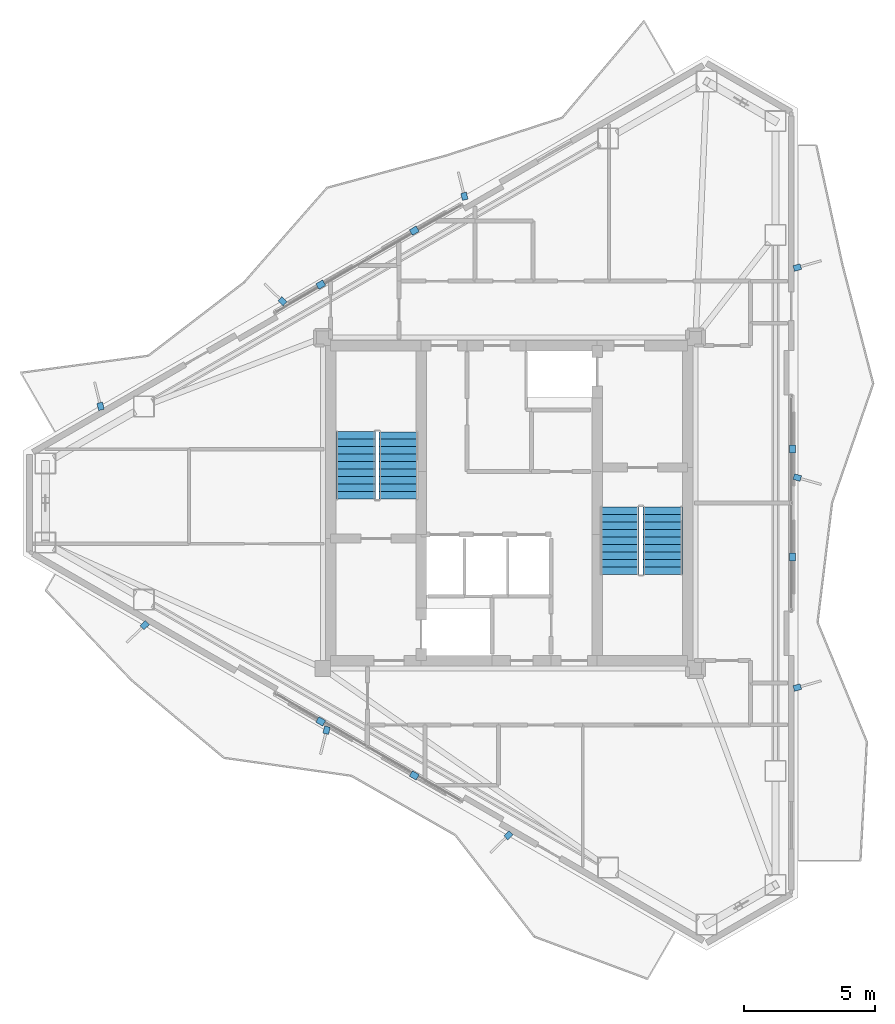
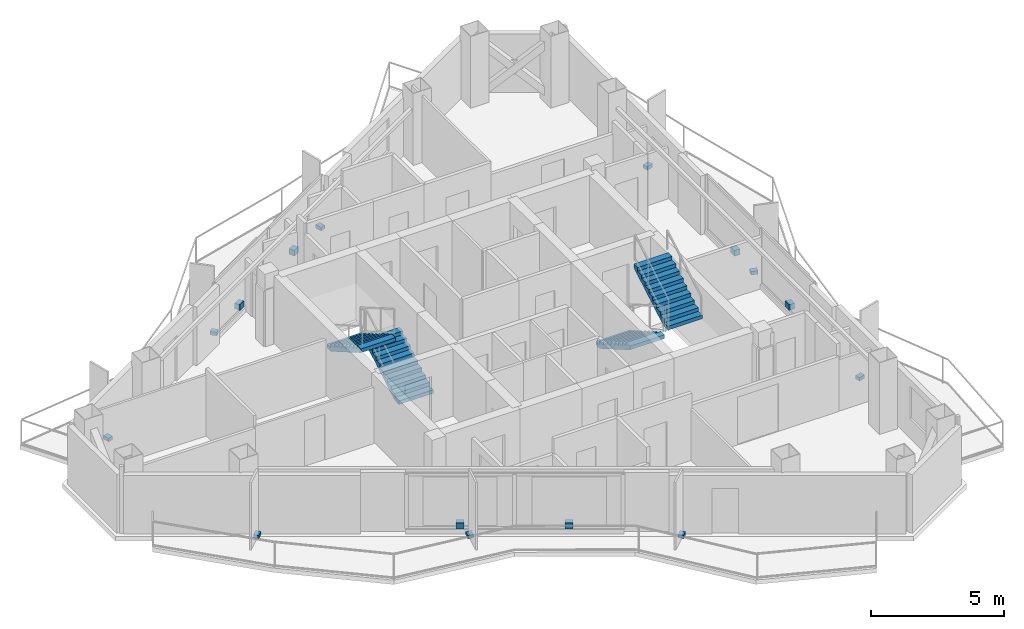
# One storey, part 17 of 18: 15 discrete accessories, 4 stair flights, 2 elements without a shape of their own.
"""IFC4 building model written with IfcOpenShell, lengths in metres."""

from ifc_helpers import new_model, si_unit, direction, frame, origin, origin_2d, place, context, subcontext, project, spatial, polyline, rectangle, outline, extrude, material, layer, layer_set, type_object, element, aggregate, save


model = new_model("IFC4")

# Units and contexts
model_context = context("Model", 3, precision=1e-05, world=origin(), true_north=direction((0.0, 1.0)))
body_context = subcontext(model_context, "Body", "Model", "MODEL_VIEW")
ifc_project = project(units=[si_unit("LENGTHUNIT", "METRE"), si_unit("AREAUNIT", "SQUARE_METRE"), si_unit("VOLUMEUNIT", "CUBIC_METRE"), si_unit("PLANEANGLEUNIT", "RADIAN"), si_unit("MASSUNIT", "GRAM", prefix="KILO")], contexts=[model_context])

# Site, building, storey
site_placement = place(None, origin())
site = spatial("IfcSite", under=ifc_project, at=site_placement, CompositionType="ELEMENT")
building_placement = place(site_placement, origin())
building = spatial("IfcBuilding", under=site, at=building_placement, Name="Mersakhor Tower and Convention Hall", CompositionType="ELEMENT")
storey_placement = place(building_placement, frame((0.0, 0.0, 239.699951171875)))
storey = spatial("IfcBuildingStorey", under=building, at=storey_placement, Name="L67", CompositionType="ELEMENT", Elevation=239.699951171875)

# Stair, stair flights
ifc_material_1 = material(Name="Concrete C45/55", Category="concrete")
stair_type = type_object("IfcStairType", Name="ST-TWR-20R", PredefinedType="HALF_TURN_STAIR", material=ifc_material_1)
stair_1_placement = place(storey_placement, origin())
stair_1 = element("IfcStair", 1, at=stair_1_placement, inside=storey, type_object=stair_type, Name="L67 Tower Protected Exit Stair ST-1", PredefinedType="HALF_TURN_STAIR")
ifc_material_2 = material(Name="Concrete C45/55", Category="concrete")
stair_flight_type = type_object("IfcStairFlightType", Name="SFL-TWR-20R", PredefinedType="STRAIGHT", material=ifc_material_2)
stair_flight_1_placement = place(storey_placement, frame((24.800048828125, 26.89990234375, 0.0), z_axis=(0.0, 0.0, 1.0), x_axis=(0.0, 1.0, 0.0)))
stair_flight_1 = element("IfcStairFlight", 2, at=stair_flight_1_placement, type_object=stair_flight_type, Name="ST-1 flight 1", NumberOfRisers=10, NumberOfTreads=9, PredefinedType="STRAIGHT", RiserHeight=0.165, TreadLength=0.285, context=body_context, shape_type="SweptSolid", body=[
    extrude(outline(polyline([(0.0, 0.0), (0.0, 0.1650390625), (0.284912109375, 0.1650390625), (0.284912109375, 0.330078125), (0.570068359375, 0.330078125), (0.570068359375, 0.4951171875), (0.85498046875, 0.4951171875), (0.85498046875, 0.659912109375), (1.139892578125, 0.659912109375), (1.139892578125, 0.824951171875), (1.425048828125, 0.824951171875), (1.425048828125, 0.989990234375), (1.7099609375, 0.989990234375), (1.7099609375, 1.155029296875), (1.9951171875, 1.155029296875), (1.9951171875, 1.320068359375), (2.280029296875, 1.320068359375), (2.280029296875, 1.485107421875), (2.56494140625, 1.485107421875), (2.56494140625, 1.64990234375), (2.56494140625, 1.311767578125), (0.299072265625, 0.0), (0.0, 0.0)])), frame((0.0, 0.75, 0.0), z_axis=(0.0, -1.0, 0.0), x_axis=(1.0, 0.0, 0.0)), (0.0, 0.0, 1.0), 1.5),
])
stair_flight_2_placement = place(storey_placement, frame((23.14990234375, 29.465087890625, 1.650146484375), z_axis=(0.0, 0.0, 1.0), x_axis=(0.0, -1.0, 0.0)))
stair_flight_2 = element("IfcStairFlight", 3, at=stair_flight_2_placement, type_object=stair_flight_type, Name="ST-1 flight 2", NumberOfRisers=10, NumberOfTreads=9, PredefinedType="STRAIGHT", RiserHeight=0.165, TreadLength=0.285, context=body_context, shape_type="SweptSolid", body=[
    extrude(outline(polyline([(0.0, 0.0), (0.0, 0.1650390625), (0.284912109375, 0.1650390625), (0.284912109375, 0.330078125), (0.570068359375, 0.330078125), (0.570068359375, 0.4951171875), (0.85498046875, 0.4951171875), (0.85498046875, 0.659912109375), (1.139892578125, 0.659912109375), (1.139892578125, 0.824951171875), (1.425048828125, 0.824951171875), (1.425048828125, 0.989990234375), (1.7099609375, 0.989990234375), (1.7099609375, 1.155029296875), (1.9951171875, 1.155029296875), (1.9951171875, 1.320068359375), (2.280029296875, 1.320068359375), (2.280029296875, 1.485107421875), (2.56494140625, 1.485107421875), (2.56494140625, 1.64990234375), (2.56494140625, 1.311767578125), (0.299072265625, 0.0), (0.0, 0.0)])), frame((0.0, 0.75, 0.0), z_axis=(0.0, -1.0, 0.0), x_axis=(1.0, 0.0, 0.0)), (0.0, 0.0, 1.0), 1.5),
])
aggregate(stair_1, [stair_flight_1, stair_flight_2])

stair_2_placement = place(storey_placement, origin())
stair_2 = element("IfcStair", 4, at=stair_2_placement, inside=storey, type_object=stair_type, Name="L67 Tower Protected Exit Stair ST-2", PredefinedType="HALF_TURN_STAIR")
stair_flight_3_placement = place(storey_placement, frame((33.199951171875, 26.60009765625, 0.0), z_axis=(0.0, 0.0, 1.0), x_axis=(0.0, -1.0, 0.0)))
stair_flight_3 = element("IfcStairFlight", 5, at=stair_flight_3_placement, type_object=stair_flight_type, Name="ST-2 flight 1", NumberOfRisers=10, NumberOfTreads=9, PredefinedType="STRAIGHT", RiserHeight=0.165, TreadLength=0.285, context=body_context, shape_type="SweptSolid", body=[
    extrude(outline(polyline([(0.0, 0.0), (0.0, 0.1650390625), (0.284912109375, 0.1650390625), (0.284912109375, 0.330078125), (0.570068359375, 0.330078125), (0.570068359375, 0.4951171875), (0.85498046875, 0.4951171875), (0.85498046875, 0.659912109375), (1.139892578125, 0.659912109375), (1.139892578125, 0.824951171875), (1.425048828125, 0.824951171875), (1.425048828125, 0.989990234375), (1.7099609375, 0.989990234375), (1.7099609375, 1.155029296875), (1.9951171875, 1.155029296875), (1.9951171875, 1.320068359375), (2.280029296875, 1.320068359375), (2.280029296875, 1.485107421875), (2.56494140625, 1.485107421875), (2.56494140625, 1.64990234375), (2.56494140625, 1.311767578125), (0.299072265625, 0.0), (0.0, 0.0)])), frame((0.0, 0.75, 0.0), z_axis=(0.0, -1.0, 0.0), x_axis=(1.0, 0.0, 0.0)), (0.0, 0.0, 1.0), 1.5),
])
stair_flight_4_placement = place(storey_placement, frame((34.85009765625, 24.034912109375, 1.650146484375), z_axis=(0.0, 0.0, 1.0), x_axis=(0.0, 1.0, 0.0)))
stair_flight_4 = element("IfcStairFlight", 6, at=stair_flight_4_placement, type_object=stair_flight_type, Name="ST-2 flight 2", NumberOfRisers=10, NumberOfTreads=9, PredefinedType="STRAIGHT", RiserHeight=0.165, TreadLength=0.285, context=body_context, shape_type="SweptSolid", body=[
    extrude(outline(polyline([(0.0, 0.0), (0.0, 0.1650390625), (0.284912109375, 0.1650390625), (0.284912109375, 0.330078125), (0.570068359375, 0.330078125), (0.570068359375, 0.4951171875), (0.85498046875, 0.4951171875), (0.85498046875, 0.659912109375), (1.139892578125, 0.659912109375), (1.139892578125, 0.824951171875), (1.425048828125, 0.824951171875), (1.425048828125, 0.989990234375), (1.7099609375, 0.989990234375), (1.7099609375, 1.155029296875), (1.9951171875, 1.155029296875), (1.9951171875, 1.320068359375), (2.280029296875, 1.320068359375), (2.280029296875, 1.485107421875), (2.56494140625, 1.485107421875), (2.56494140625, 1.64990234375), (2.56494140625, 1.311767578125), (0.299072265625, 0.0), (0.0, 0.0)])), frame((0.0, 0.75, 0.0), z_axis=(0.0, -1.0, 0.0), x_axis=(1.0, 0.0, 0.0)), (0.0, 0.0, 1.0), 1.5),
])
aggregate(stair_2, [stair_flight_3, stair_flight_4])

# Discrete accessories
ifc_material_3 = material(Name="Galvanised steel bracket", Category="steel")
ifc_layer = layer(ifc_material_3, 0.02001953125)
ifc_layer_set = layer_set([ifc_layer], Name="Galvanised steel bracket")
discrete_accessory_type = type_object("IfcDiscreteAccessoryType", Name="ACC-BRK-STL", PredefinedType="BRACKET", material=ifc_layer_set)
for number, where, z_axis, x_axis, name in (
    (7, (21.822265625, 35.068359375, 0.2900390625), (0.0, 0.0, 1.0), (0.866025403784, 0.5, 0.0), "L67 Solar Screen Outrigger Bracket BRK-1-1"),
    (8, (25.385009765625, 37.125244140625, 0.2900390625), (0.0, 0.0, 1.0), (0.866025403784, 0.5, 0.0), "L67 Solar Screen Outrigger Bracket BRK-1-2"),
):
    element("IfcDiscreteAccessory", number, at=place(storey_placement, frame(where, z_axis=z_axis, x_axis=x_axis)), inside=storey, type_object=discrete_accessory_type, Name=name, PredefinedType="BRACKET", context=body_context, shape_type="SweptSolid", body=[
        extrude(rectangle(XDim=0.300048828125, YDim=0.239990234375, at=origin_2d()), origin(), (0.0, 0.0, 1.0), 0.260009765625),
    ])
for number, where, z_axis, x_axis, name in (
    (9, (13.4365234375, 30.434814453125, -0.02001953125), (0.0, 0.0, 1.0), (-0.2419218956, 0.970295726276, 0.0), "L67 Facade Fin Base Cleat Bracket FBRK-1-1"),
    (10, (20.36474609375, 34.434814453125, -0.02001953125), (0.0, 0.0, 1.0), (-0.719339800339, 0.694658370459, 0.0), "L67 Facade Fin Base Cleat Bracket FBRK-1-2"),
    (11, (27.29296875, 38.434814453125, -0.02001953125), (0.0, 0.0, 1.0), (-0.2419218956, 0.970295726276, 0.0), "L67 Facade Fin Base Cleat Bracket FBRK-1-3"),
):
    element("IfcDiscreteAccessory", number, at=place(storey_placement, frame(where, z_axis=z_axis, x_axis=x_axis)), inside=storey, type_object=discrete_accessory_type, Name=name, PredefinedType="BRACKET", context=body_context, shape_type="SweptSolid", body=[
        extrude(rectangle(XDim=0.280029296875, YDim=0.219970703125, at=origin_2d()), origin(), (0.0, 0.0, 1.0), 0.159912109375),
    ])
for number, where, z_axis, x_axis, name in (
    (12, (39.792724609375, 28.806884765625, 0.2900390625), (0.0, 0.0, 1.0), (0.0, -1.0, 0.0), "L67 Solar Screen Outrigger Bracket BRK-2-1"),
    (13, (39.792724609375, 24.693115234375, 0.2900390625), (0.0, 0.0, 1.0), (0.0, -1.0, 0.0), "L67 Solar Screen Outrigger Bracket BRK-2-2"),
):
    element("IfcDiscreteAccessory", number, at=place(storey_placement, frame(where, z_axis=z_axis, x_axis=x_axis)), inside=storey, type_object=discrete_accessory_type, Name=name, PredefinedType="BRACKET", context=body_context, shape_type="SweptSolid", body=[
        extrude(rectangle(XDim=0.300048828125, YDim=0.239990234375, at=origin_2d()), origin(), (0.0, 0.0, 1.0), 0.260009765625),
    ])
for number, where, z_axis, x_axis, name in (
    (14, (39.972900390625, 35.719482421875, -0.02001953125), (0.0, 0.0, 1.0), (0.961261695938, 0.275637355817, 0.0), "L67 Facade Fin Base Cleat Bracket FBRK-2-1"),
    (15, (39.972900390625, 27.719482421875, -0.02001953125), (0.0, 0.0, 1.0), (0.961261695938, -0.275637355817, 0.0), "L67 Facade Fin Base Cleat Bracket FBRK-2-2"),
    (16, (39.972900390625, 19.719482421875, -0.02001953125), (0.0, 0.0, 1.0), (0.961261695938, 0.275637355817, 0.0), "L67 Facade Fin Base Cleat Bracket FBRK-2-3"),
):
    element("IfcDiscreteAccessory", number, at=place(storey_placement, frame(where, z_axis=z_axis, x_axis=x_axis)), inside=storey, type_object=discrete_accessory_type, Name=name, PredefinedType="BRACKET", context=body_context, shape_type="SweptSolid", body=[
        extrude(rectangle(XDim=0.280029296875, YDim=0.219970703125, at=origin_2d()), origin(), (0.0, 0.0, 1.0), 0.159912109375),
    ])
for number, where, z_axis, x_axis, name in (
    (17, (25.385009765625, 16.374755859375, 0.2900390625), (0.0, 0.0, 1.0), (-0.866025403784, 0.5, 0.0), "L67 Solar Screen Outrigger Bracket BRK-3-1"),
    (18, (21.822265625, 18.431640625, 0.2900390625), (0.0, 0.0, 1.0), (-0.866025403784, 0.5, 0.0), "L67 Solar Screen Outrigger Bracket BRK-3-2"),
):
    element("IfcDiscreteAccessory", number, at=place(storey_placement, frame(where, z_axis=z_axis, x_axis=x_axis)), inside=storey, type_object=discrete_accessory_type, Name=name, PredefinedType="BRACKET", context=body_context, shape_type="SweptSolid", body=[
        extrude(rectangle(XDim=0.300048828125, YDim=0.239990234375, at=origin_2d()), origin(), (0.0, 0.0, 1.0), 0.260009765625),
    ])
for number, where, z_axis, x_axis, name in (
    (19, (28.971923828125, 14.095947265625, -0.02001953125), (0.0, 0.0, 1.0), (-0.719339800339, -0.694658370459, 0.0), "L67 Facade Fin Base Cleat Bracket FBRK-3-1"),
    (20, (22.043701171875, 18.095947265625, -0.02001953125), (0.0, 0.0, 1.0), (-0.2419218956, -0.970295726276, 0.0), "L67 Facade Fin Base Cleat Bracket FBRK-3-2"),
    (21, (15.115478515625, 22.095947265625, -0.02001953125), (0.0, 0.0, 1.0), (-0.719339800339, -0.694658370459, 0.0), "L67 Facade Fin Base Cleat Bracket FBRK-3-3"),
):
    element("IfcDiscreteAccessory", number, at=place(storey_placement, frame(where, z_axis=z_axis, x_axis=x_axis)), inside=storey, type_object=discrete_accessory_type, Name=name, PredefinedType="BRACKET", context=body_context, shape_type="SweptSolid", body=[
        extrude(rectangle(XDim=0.280029296875, YDim=0.219970703125, at=origin_2d()), origin(), (0.0, 0.0, 1.0), 0.159912109375),
    ])

save(model, "model.ifc")
